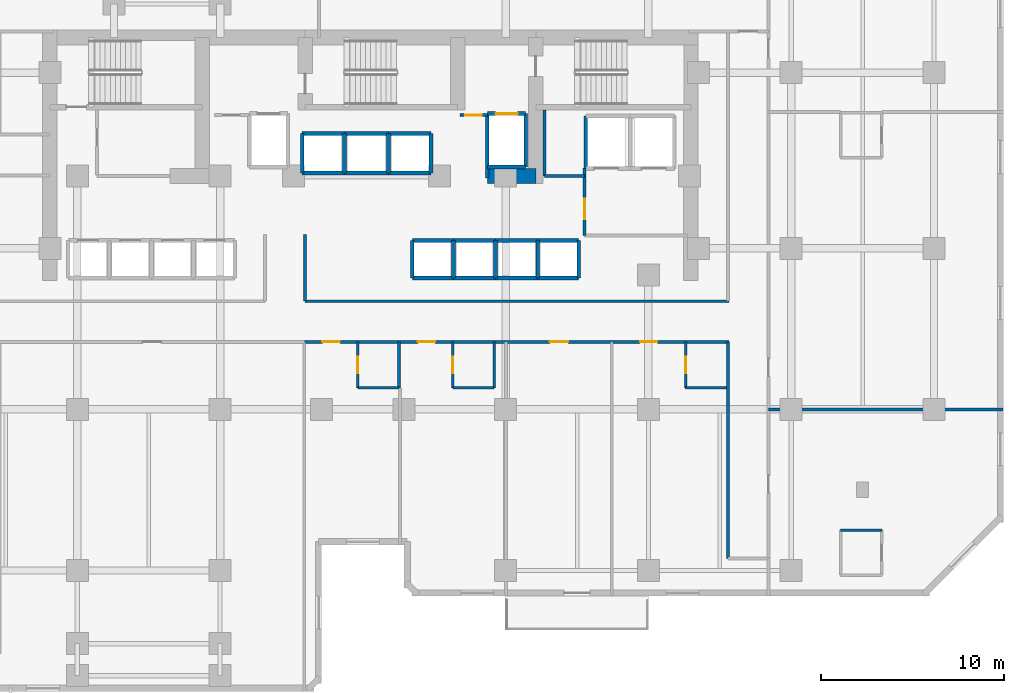
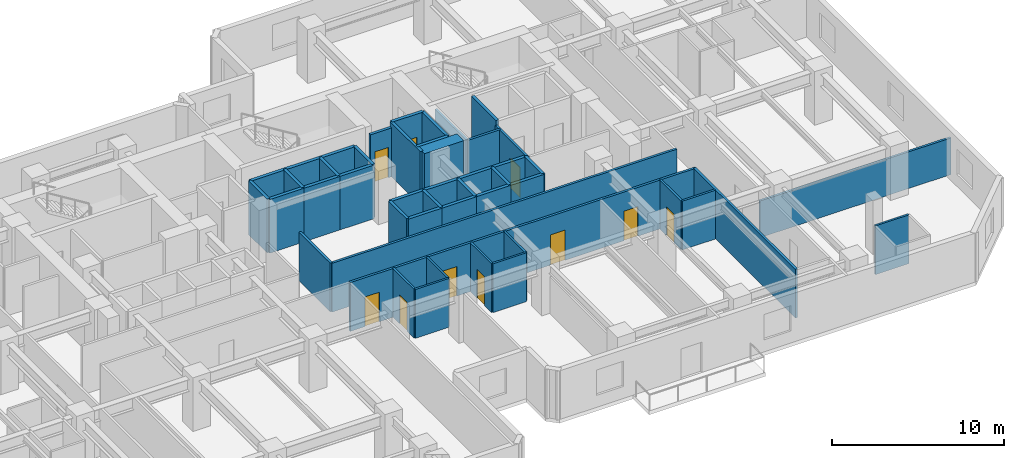
# One storey, part 7 of 11: 47 walls, 10 doors, 10 openings.
"""IFC4 building model written with IfcOpenShell, lengths in metres."""

from ifc_helpers import new_model, si_unit, direction, frame, frame_2d, origin, place, context, subcontext, project, spatial, rectangle, extrude, material, layer, layer_set, type_object, element, fill, save


model = new_model("IFC4")

# Units and contexts
model_context = context("Model", 3, precision=1e-05, world=origin(), true_north=direction((0.0, 1.0)))
body_context = subcontext(model_context, "Body", "Model", "MODEL_VIEW")
ifc_project = project(units=[si_unit("LENGTHUNIT", "METRE"), si_unit("AREAUNIT", "SQUARE_METRE"), si_unit("VOLUMEUNIT", "CUBIC_METRE"), si_unit("PLANEANGLEUNIT", "RADIAN"), si_unit("MASSUNIT", "GRAM", prefix="KILO")], contexts=[model_context])

# Site, building, storey
site_placement = place(None, origin())
site = spatial("IfcSite", under=ifc_project, at=site_placement, CompositionType="ELEMENT")
building_placement = place(site_placement, origin())
building = spatial("IfcBuilding", under=site, at=building_placement, Name="Kestravale Grand Hotel", CompositionType="ELEMENT")
storey_placement = place(building_placement, frame((0.0, 0.0, 126.0)))
storey = spatial("IfcBuildingStorey", under=building, at=storey_placement, Name="L31", CompositionType="ELEMENT", Elevation=126.0)

# Wall
ifc_material_1 = material(Name="Concrete f'c 60 MPa", Category="concrete")
ifc_layer_1 = layer(ifc_material_1, 0.800048828125)
ifc_layer_set_1 = layer_set([ifc_layer_1], Name="EW-CORE-800")
wall_type_1 = type_object("IfcWallType", Name="EW-CORE-800", PredefinedType="SHEAR", material=ifc_layer_set_1)
wall_1_placement = place(storey_placement, frame((45.81005859375, 32.75, 0.0), z_axis=(0.0, 0.0, 1.0), x_axis=(1.0, 0.0, 0.0)))
element("IfcWall", 1, at=wall_1_placement, inside=storey, type_object=wall_type_1, Name="L31 core shear wall S2", PredefinedType="SHEAR", context=body_context, shape_type="SweptSolid", body=[
    extrude(rectangle(XDim=2.639892578125, YDim=0.800048828125, at=frame_2d((1.31982421875, 0.0))), origin(), (0.0, 0.0, 1.0), 3.800048828125),
])

# Wall, opening, door
ifc_material_2 = material(Name="Acoustic fire-rated gypsum board partition", Category="other")
ifc_layer_2 = layer(ifc_material_2, 0.159912109375)
ifc_layer_set_2 = layer_set([ifc_layer_2], Name="IW-CORR-160")
wall_type_2 = type_object("IfcWallType", Name="IW-CORR-160", PredefinedType="PARTITIONING", material=ifc_layer_set_2)
wall_2_placement = place(storey_placement, frame((51.1201171875, 29.5, 0.0), z_axis=(0.0, 0.0, 1.0), x_axis=(0.0, 1.0, 0.0)))
wall_2 = element("IfcWall", 2, at=wall_2_placement, inside=storey, type_object=wall_type_2, Name="W-L31-SVCLOB-W", PredefinedType="PARTITIONING", context=body_context, shape_type="SweptSolid", body=[
    extrude(rectangle(XDim=3.699951171875, YDim=0.159912109375, at=frame_2d((1.85009765625, 0.0))), origin(), (0.0, 0.0, 1.0), 3.4599609375),
])
opening_1_placement = place(wall_2_placement, frame((0.89990234375, 0.0, 0.0)))
opening_1 = element("IfcOpeningElement", 3, at=opening_1_placement, cuts=wall_2, Name="Opening D-CORR-1100", PredefinedType="OPENING", context=body_context, shape_type="SweptSolid", body=[
    extrude(rectangle(XDim=1.10009765625, YDim=2.14990234375, at=frame_2d((0.550048828125, 1.074951171875))), frame((0.0, 0.08984375, 0.0), z_axis=(0.0, -1.0, 0.0), x_axis=(1.0, 0.0, 0.0)), (0.0, 0.0, 1.0), 0.179931640625),
])
ifc_material_3 = material(Name="Single-leaf service vestibule fire door", Category="steel")
door_type_1 = type_object("IfcDoorType", Name="D-CORR-1100", OperationType="NOTDEFINED", PredefinedType="DOOR", material=ifc_material_3)
door_1_placement = place(opening_1_placement, origin())
door_1 = element("IfcDoor", 4, at=door_1_placement, inside=storey, type_object=door_type_1, Name="L31 service lift lobby door", OperationType="SINGLE_SWING_LEFT", OverallHeight=2.14990234375, OverallWidth=1.10009765625, PredefinedType="DOOR", context=body_context, shape_type="SweptSolid", body=[
    extrude(rectangle(XDim=1.10009765625, YDim=2.14990234375, at=frame_2d((0.550048828125, 1.074951171875))), frame((0.0, 0.02490234375, 0.0), z_axis=(0.0, -1.0, 0.0), x_axis=(1.0, 0.0, 0.0)), (0.0, 0.0, 1.0), 0.050048828125),
])
fill(opening_1, door_1)

# Walls
wall_3_placement = place(storey_placement, frame((48.919921875, 32.75, 0.0), z_axis=(0.0, 0.0, 1.0), x_axis=(1.0, 0.0, 0.0)))
element("IfcWall", 5, at=wall_3_placement, inside=storey, type_object=wall_type_2, Name="W-L31-CES", PredefinedType="PARTITIONING", context=body_context, shape_type="SweptSolid", body=[
    extrude(rectangle(XDim=2.2001953125, YDim=0.159912109375, at=frame_2d((1.10009765625, 0.0))), origin(), (0.0, 0.0, 1.0), 3.4599609375),
])
wall_4_placement = place(storey_placement, frame((35.85009765625, 25.909912109375, 0.0), z_axis=(0.0, 0.0, 1.0), x_axis=(1.0, 0.0, 0.0)))
element("IfcWall", 6, at=wall_4_placement, inside=storey, type_object=wall_type_2, Name="W-L31-CE-N", PredefinedType="PARTITIONING", context=body_context, shape_type="SweptSolid", body=[
    extrude(rectangle(XDim=23.14990234375, YDim=0.159912109375, at=frame_2d((11.574951171875, 0.0))), origin(), (0.0, 0.0, 1.0), 3.4599609375),
])
wall_5_placement = place(storey_placement, frame((35.85009765625, 25.909912109375, 0.0), z_axis=(0.0, 0.0, 1.0), x_axis=(0.0, 1.0, 0.0)))
element("IfcWall", 7, at=wall_5_placement, inside=storey, type_object=wall_type_2, Name="W-L31-TRUNK-E", PredefinedType="PARTITIONING", context=body_context, shape_type="SweptSolid", body=[
    extrude(rectangle(XDim=3.64013671875, YDim=0.159912109375, at=frame_2d((1.820068359375, 0.0))), origin(), (0.0, 0.0, 1.0), 3.4599609375),
])

# Wall, openings, doors
wall_6_placement = place(storey_placement, frame((35.800048828125, 23.68994140625, 0.0), z_axis=(0.0, 0.0, 1.0), x_axis=(1.0, 0.0, 0.0)))
wall_6 = element("IfcWall", 8, at=wall_6_placement, inside=storey, type_object=wall_type_2, Name="W-L31-CE-S", PredefinedType="PARTITIONING", context=body_context, shape_type="SweptSolid", body=[
    extrude(rectangle(XDim=23.199951171875, YDim=0.159912109375, at=frame_2d((11.60009765625, 0.0))), origin(), (0.0, 0.0, 1.0), 3.4599609375),
])
opening_2_placement = place(wall_6_placement, frame((0.987548828125, 0.0, 0.0)))
opening_2 = element("IfcOpeningElement", 9, at=opening_2_placement, cuts=wall_6, Name="Opening D-GUEST-950", PredefinedType="OPENING", context=body_context, shape_type="SweptSolid", body=[
    extrude(rectangle(XDim=0.949951171875, YDim=2.10009765625, at=frame_2d((0.47509765625, 1.050048828125))), frame((0.0, 0.08984375, 0.0), z_axis=(0.0, -1.0, 0.0), x_axis=(1.0, 0.0, 0.0)), (0.0, 0.0, 1.0), 0.179931640625),
])
opening_3_placement = place(wall_6_placement, frame((6.202392578125, 0.0, 0.0)))
opening_3 = element("IfcOpeningElement", 10, at=opening_3_placement, cuts=wall_6, Name="Opening D-GUEST-950", PredefinedType="OPENING", context=body_context, shape_type="SweptSolid", body=[
    extrude(rectangle(XDim=0.949951171875, YDim=2.10009765625, at=frame_2d((0.47509765625, 1.050048828125))), frame((0.0, 0.08984375, 0.0), z_axis=(0.0, -1.0, 0.0), x_axis=(1.0, 0.0, 0.0)), (0.0, 0.0, 1.0), 0.179931640625),
])
opening_4_placement = place(wall_6_placement, frame((13.41259765625, 0.0, 0.0)))
opening_4 = element("IfcOpeningElement", 11, at=opening_4_placement, cuts=wall_6, Name="Opening D-GUEST-1000", PredefinedType="OPENING", context=body_context, shape_type="SweptSolid", body=[
    extrude(rectangle(XDim=1.0, YDim=2.14990234375, at=frame_2d((0.5, 1.074951171875))), frame((0.0, 0.08984375, 0.0), z_axis=(0.0, -1.0, 0.0), x_axis=(1.0, 0.0, 0.0)), (0.0, 0.0, 1.0), 0.179931640625),
])
opening_5_placement = place(wall_6_placement, frame((18.342529296875, 0.0, 0.0)))
opening_5 = element("IfcOpeningElement", 12, at=opening_5_placement, cuts=wall_6, Name="Opening D-GUEST-950", PredefinedType="OPENING", context=body_context, shape_type="SweptSolid", body=[
    extrude(rectangle(XDim=0.949951171875, YDim=2.10009765625, at=frame_2d((0.47509765625, 1.050048828125))), frame((0.0, 0.08984375, 0.0), z_axis=(0.0, -1.0, 0.0), x_axis=(1.0, 0.0, 0.0)), (0.0, 0.0, 1.0), 0.179931640625),
])
ifc_material_4 = material(Name="Accessible walnut veneer hotel entrance fire door", Category="wood")
door_type_2 = type_object("IfcDoorType", Name="D-GUEST-1000", OperationType="NOTDEFINED", PredefinedType="DOOR", material=ifc_material_4)
door_2_placement = place(opening_4_placement, origin())
door_2 = element("IfcDoor", 13, at=door_2_placement, inside=storey, type_object=door_type_2, Name="D-L31-AME", OperationType="SINGLE_SWING_LEFT", OverallHeight=2.14990234375, OverallWidth=1.0, PredefinedType="DOOR", context=body_context, shape_type="SweptSolid", body=[
    extrude(rectangle(XDim=1.0, YDim=2.14990234375, at=frame_2d((0.5, 1.074951171875))), frame((0.0, 0.02490234375, 0.0), z_axis=(0.0, -1.0, 0.0), x_axis=(1.0, 0.0, 0.0)), (0.0, 0.0, 1.0), 0.050048828125),
])
fill(opening_4, door_2)
ifc_material_5 = material(Name="Walnut veneer hotel guestroom entrance fire door", Category="wood")
door_type_3 = type_object("IfcDoorType", Name="D-GUEST-950", OperationType="NOTDEFINED", PredefinedType="DOOR", material=ifc_material_5)
door_3_placement = place(opening_2_placement, origin())
door_3 = element("IfcDoor", 14, at=door_3_placement, inside=storey, type_object=door_type_3, Name="D-L31-U01-ENT", OperationType="SINGLE_SWING_RIGHT", OverallHeight=2.10009765625, OverallWidth=0.949951171875, PredefinedType="DOOR", context=body_context, shape_type="SweptSolid", body=[
    extrude(rectangle(XDim=0.949951171875, YDim=2.10009765625, at=frame_2d((0.47509765625, 1.050048828125))), frame((0.0, 0.02490234375, 0.0), z_axis=(0.0, -1.0, 0.0), x_axis=(1.0, 0.0, 0.0)), (0.0, 0.0, 1.0), 0.050048828125),
])
fill(opening_2, door_3)
door_4_placement = place(opening_3_placement, origin())
door_4 = element("IfcDoor", 15, at=door_4_placement, inside=storey, type_object=door_type_3, Name="D-L31-U02-ENT", OperationType="SINGLE_SWING_RIGHT", OverallHeight=2.10009765625, OverallWidth=0.949951171875, PredefinedType="DOOR", context=body_context, shape_type="SweptSolid", body=[
    extrude(rectangle(XDim=0.949951171875, YDim=2.10009765625, at=frame_2d((0.47509765625, 1.050048828125))), frame((0.0, 0.02490234375, 0.0), z_axis=(0.0, -1.0, 0.0), x_axis=(1.0, 0.0, 0.0)), (0.0, 0.0, 1.0), 0.050048828125),
])
fill(opening_3, door_4)
door_5_placement = place(opening_5_placement, origin())
door_5 = element("IfcDoor", 16, at=door_5_placement, inside=storey, type_object=door_type_3, Name="D-L31-U03-ENT", OperationType="SINGLE_SWING_LEFT", OverallHeight=2.10009765625, OverallWidth=0.949951171875, PredefinedType="DOOR", context=body_context, shape_type="SweptSolid", body=[
    extrude(rectangle(XDim=0.949951171875, YDim=2.10009765625, at=frame_2d((0.47509765625, 1.050048828125))), frame((0.0, 0.02490234375, 0.0), z_axis=(0.0, -1.0, 0.0), x_axis=(1.0, 0.0, 0.0)), (0.0, 0.0, 1.0), 0.050048828125),
])
fill(opening_5, door_5)

# Wall
wall_7_placement = place(storey_placement, frame((58.93994140625, 11.85009765625, 0.0), z_axis=(0.0, 0.0, 1.0), x_axis=(0.0, 1.0, 0.0)))
element("IfcWall", 17, at=wall_7_placement, inside=storey, type_object=wall_type_2, Name="W-L31-SE-W", PredefinedType="PARTITIONING", context=body_context, shape_type="SweptSolid", body=[
    extrude(rectangle(XDim=11.83984375, YDim=0.159912109375, at=frame_2d((5.919921875, 0.0))), origin(), (0.0, 0.0, 1.0), 3.4599609375),
])

# Wall, opening, door
ifc_material_6 = material(Name="Fire-rated gypsum board on steel studs with mineral wool", Category="steel")
ifc_layer_3 = layer(ifc_material_6, 0.179931640625)
ifc_layer_set_3 = layer_set([ifc_layer_3], Name="IW-FSAE-180")
wall_type_3 = type_object("IfcWallType", Name="IW-FSAE-180", PredefinedType="PARTITIONING", material=ifc_layer_set_3)
wall_8_placement = place(storey_placement, frame((44.300048828125, 36.080078125, 0.0), z_axis=(0.0, 0.0, 1.0), x_axis=(1.0, 0.0, 0.0)))
wall_8 = element("IfcWall", 18, at=wall_8_placement, inside=storey, type_object=wall_type_3, Name="L31 FSAE Lobby 2 smoke barrier", PredefinedType="PARTITIONING", context=body_context, shape_type="SweptSolid", body=[
    extrude(rectangle(XDim=1.5, YDim=0.179931640625, at=frame_2d((0.75, 0.0))), origin(), (0.0, 0.0, 1.0), 3.4599609375),
])
opening_6_placement = place(wall_8_placement, frame((0.300048828125, 0.0, 0.0)))
opening_6 = element("IfcOpeningElement", 19, at=opening_6_placement, cuts=wall_8, Name="Opening D-FSAE-1000", PredefinedType="OPENING", context=body_context, shape_type="SweptSolid", body=[
    extrude(rectangle(XDim=0.89990234375, YDim=2.14990234375, at=frame_2d((0.449951171875, 1.074951171875))), frame((0.0, 0.099853515625, 0.0), z_axis=(0.0, -1.0, 0.0), x_axis=(1.0, 0.0, 0.0)), (0.0, 0.0, 1.0), 0.199951171875),
])
ifc_material_7 = material(Name="Smoke-gasketed FSAE lobby fire door", Category="steel")
door_type_4 = type_object("IfcDoorType", Name="D-FSAE-1000", OperationType="NOTDEFINED", PredefinedType="DOOR", material=ifc_material_7)
door_6_placement = place(opening_6_placement, origin())
door_6 = element("IfcDoor", 20, at=door_6_placement, inside=storey, type_object=door_type_4, Name="L31 FSAE Lobby 2 fire door", OperationType="SINGLE_SWING_LEFT", OverallHeight=2.14990234375, OverallWidth=0.89990234375, PredefinedType="DOOR", context=body_context, shape_type="SweptSolid", body=[
    extrude(rectangle(XDim=0.89990234375, YDim=2.14990234375, at=frame_2d((0.449951171875, 1.074951171875))), frame((0.0, 0.02490234375, 0.0), z_axis=(0.0, -1.0, 0.0), x_axis=(1.0, 0.0, 0.0)), (0.0, 0.0, 1.0), 0.050048828125),
])
fill(opening_6, door_6)

ifc_material_8 = material(Name="Moisture-resistant tile-backer plumbing chase wall", Category="other")
ifc_layer_4 = layer(ifc_material_8, 0.139892578125)
ifc_layer_set_4 = layer_set([ifc_layer_4], Name="IW-PLB-140")
wall_type_4 = type_object("IfcWallType", Name="IW-PLB-140", PredefinedType="PLUMBINGWALL", material=ifc_layer_set_4)
wall_9_placement = place(storey_placement, frame((38.72509765625, 21.179931640625, 0.0), z_axis=(0.0, 0.0, 1.0), x_axis=(0.0, 1.0, 0.0)))
wall_9 = element("IfcWall", 21, at=wall_9_placement, inside=storey, type_object=wall_type_4, Name="W-L31-U01-BW", PredefinedType="PLUMBINGWALL", context=body_context, shape_type="SweptSolid", body=[
    extrude(rectangle(XDim=2.489990234375, YDim=0.139892578125, at=frame_2d((1.2451171875, 0.0))), origin(), (0.0, 0.0, 1.0), 3.4599609375),
])
opening_7_placement = place(wall_9_placement, frame((0.804931640625, 0.0, 0.0)))
opening_7 = element("IfcOpeningElement", 22, at=opening_7_placement, cuts=wall_9, Name="Opening D-BATH-880", PredefinedType="OPENING", context=body_context, shape_type="SweptSolid", body=[
    extrude(rectangle(XDim=0.8798828125, YDim=2.050048828125, at=frame_2d((0.43994140625, 1.02490234375))), frame((0.0, 0.079833984375, 0.0), z_axis=(0.0, -1.0, 0.0), x_axis=(1.0, 0.0, 0.0)), (0.0, 0.0, 1.0), 0.159912109375),
])
ifc_material_9 = material(Name="Moisture-sealed walnut en-suite bathroom door", Category="wood")
door_type_5 = type_object("IfcDoorType", Name="D-BATH-880", OperationType="NOTDEFINED", PredefinedType="DOOR", material=ifc_material_9)
door_7_placement = place(opening_7_placement, origin())
door_7 = element("IfcDoor", 23, at=door_7_placement, inside=storey, type_object=door_type_5, Name="D-L31-U01-BATH", OperationType="SINGLE_SWING_LEFT", OverallHeight=2.050048828125, OverallWidth=0.8798828125, PredefinedType="DOOR", context=body_context, shape_type="SweptSolid", body=[
    extrude(rectangle(XDim=0.8798828125, YDim=2.050048828125, at=frame_2d((0.43994140625, 1.02490234375))), frame((0.0, 0.02490234375, 0.0), z_axis=(0.0, -1.0, 0.0), x_axis=(1.0, 0.0, 0.0)), (0.0, 0.0, 1.0), 0.050048828125),
])
fill(opening_7, door_7)

# Walls
wall_10_placement = place(storey_placement, frame((40.97509765625, 21.179931640625, 0.0), z_axis=(0.0, 0.0, 1.0), x_axis=(0.0, 1.0, 0.0)))
element("IfcWall", 24, at=wall_10_placement, inside=storey, type_object=wall_type_4, Name="W-L31-U01-BE", PredefinedType="PLUMBINGWALL", context=body_context, shape_type="SweptSolid", body=[
    extrude(rectangle(XDim=2.489990234375, YDim=0.139892578125, at=frame_2d((1.2451171875, 0.0))), origin(), (0.0, 0.0, 1.0), 3.4599609375),
])
wall_11_placement = place(storey_placement, frame((38.72509765625, 21.179931640625, 0.0), z_axis=(0.0, 0.0, 1.0), x_axis=(1.0, 0.0, 0.0)))
element("IfcWall", 25, at=wall_11_placement, inside=storey, type_object=wall_type_4, Name="W-L31-U01-BS", PredefinedType="PLUMBINGWALL", context=body_context, shape_type="SweptSolid", body=[
    extrude(rectangle(XDim=2.25, YDim=0.139892578125, at=frame_2d((1.125, 0.0))), origin(), (0.0, 0.0, 1.0), 3.4599609375),
])

# Wall, opening, door
wall_12_placement = place(storey_placement, frame((43.919921875, 21.179931640625, 0.0), z_axis=(0.0, 0.0, 1.0), x_axis=(0.0, 1.0, 0.0)))
wall_12 = element("IfcWall", 26, at=wall_12_placement, inside=storey, type_object=wall_type_4, Name="W-L31-U02-BW", PredefinedType="PLUMBINGWALL", context=body_context, shape_type="SweptSolid", body=[
    extrude(rectangle(XDim=2.489990234375, YDim=0.139892578125, at=frame_2d((1.2451171875, 0.0))), origin(), (0.0, 0.0, 1.0), 3.4599609375),
])
opening_8_placement = place(wall_12_placement, frame((0.804931640625, 0.0, 0.0)))
opening_8 = element("IfcOpeningElement", 27, at=opening_8_placement, cuts=wall_12, Name="Opening D-BATH-880", PredefinedType="OPENING", context=body_context, shape_type="SweptSolid", body=[
    extrude(rectangle(XDim=0.8798828125, YDim=2.050048828125, at=frame_2d((0.43994140625, 1.02490234375))), frame((0.0, 0.079833984375, 0.0), z_axis=(0.0, -1.0, 0.0), x_axis=(1.0, 0.0, 0.0)), (0.0, 0.0, 1.0), 0.159912109375),
])
door_8_placement = place(opening_8_placement, origin())
door_8 = element("IfcDoor", 28, at=door_8_placement, inside=storey, type_object=door_type_5, Name="D-L31-U02-BATH", OperationType="SINGLE_SWING_LEFT", OverallHeight=2.050048828125, OverallWidth=0.8798828125, PredefinedType="DOOR", context=body_context, shape_type="SweptSolid", body=[
    extrude(rectangle(XDim=0.8798828125, YDim=2.050048828125, at=frame_2d((0.43994140625, 1.02490234375))), frame((0.0, 0.02490234375, 0.0), z_axis=(0.0, -1.0, 0.0), x_axis=(1.0, 0.0, 0.0)), (0.0, 0.0, 1.0), 0.050048828125),
])
fill(opening_8, door_8)

# Walls
wall_13_placement = place(storey_placement, frame((46.169921875, 21.179931640625, 0.0), z_axis=(0.0, 0.0, 1.0), x_axis=(0.0, 1.0, 0.0)))
element("IfcWall", 29, at=wall_13_placement, inside=storey, type_object=wall_type_4, Name="W-L31-U02-BE", PredefinedType="PLUMBINGWALL", context=body_context, shape_type="SweptSolid", body=[
    extrude(rectangle(XDim=2.489990234375, YDim=0.139892578125, at=frame_2d((1.2451171875, 0.0))), origin(), (0.0, 0.0, 1.0), 3.4599609375),
])
wall_14_placement = place(storey_placement, frame((43.919921875, 21.179931640625, 0.0), z_axis=(0.0, 0.0, 1.0), x_axis=(1.0, 0.0, 0.0)))
element("IfcWall", 30, at=wall_14_placement, inside=storey, type_object=wall_type_4, Name="W-L31-U02-BS", PredefinedType="PLUMBINGWALL", context=body_context, shape_type="SweptSolid", body=[
    extrude(rectangle(XDim=2.25, YDim=0.139892578125, at=frame_2d((1.125, 0.0))), origin(), (0.0, 0.0, 1.0), 3.4599609375),
])

# Wall, opening, door
wall_15_placement = place(storey_placement, frame((56.6298828125, 21.179931640625, 0.0), z_axis=(0.0, 0.0, 1.0), x_axis=(0.0, 1.0, 0.0)))
wall_15 = element("IfcWall", 31, at=wall_15_placement, inside=storey, type_object=wall_type_4, Name="W-L31-U03-BW", PredefinedType="PLUMBINGWALL", context=body_context, shape_type="SweptSolid", body=[
    extrude(rectangle(XDim=2.489990234375, YDim=0.139892578125, at=frame_2d((1.2451171875, 0.0))), origin(), (0.0, 0.0, 1.0), 3.4599609375),
])
opening_9_placement = place(wall_15_placement, frame((0.804931640625, 0.0, 0.0)))
opening_9 = element("IfcOpeningElement", 32, at=opening_9_placement, cuts=wall_15, Name="Opening D-BATH-880", PredefinedType="OPENING", context=body_context, shape_type="SweptSolid", body=[
    extrude(rectangle(XDim=0.8798828125, YDim=2.050048828125, at=frame_2d((0.43994140625, 1.02490234375))), frame((0.0, 0.079833984375, 0.0), z_axis=(0.0, -1.0, 0.0), x_axis=(1.0, 0.0, 0.0)), (0.0, 0.0, 1.0), 0.159912109375),
])
door_9_placement = place(opening_9_placement, origin())
door_9 = element("IfcDoor", 33, at=door_9_placement, inside=storey, type_object=door_type_5, Name="D-L31-U03-BATH", OperationType="SINGLE_SWING_RIGHT", OverallHeight=2.050048828125, OverallWidth=0.8798828125, PredefinedType="DOOR", context=body_context, shape_type="SweptSolid", body=[
    extrude(rectangle(XDim=0.8798828125, YDim=2.050048828125, at=frame_2d((0.43994140625, 1.02490234375))), frame((0.0, 0.02490234375, 0.0), z_axis=(0.0, -1.0, 0.0), x_axis=(1.0, 0.0, 0.0)), (0.0, 0.0, 1.0), 0.050048828125),
])
fill(opening_9, door_9)

# Walls
for number, where, z_axis, x_axis, name in (
    (34, (56.6298828125, 21.179931640625, 0.0), (0.0, 0.0, 1.0), (1.0, 0.0, 0.0), "W-L31-U03-BS"),
    (35, (65.10009765625, 13.39990234375, 0.0), (0.0, 0.0, 1.0), (1.0, 0.0, 0.0), "W-L31-U08-BN"),
):
    element("IfcWall", number, at=place(storey_placement, frame(where, z_axis=z_axis, x_axis=x_axis)), inside=storey, type_object=wall_type_4, Name=name, PredefinedType="PLUMBINGWALL", context=body_context, shape_type="SweptSolid", body=[
        extrude(rectangle(XDim=2.25, YDim=0.139892578125, at=frame_2d((1.125, 0.0))), origin(), (0.0, 0.0, 1.0), 3.4599609375),
    ])
ifc_material_10 = material(Name="Concrete f'c 45 MPa", Category="concrete")
ifc_layer_5 = layer(ifc_material_10, 0.199951171875)
ifc_layer_set_5 = layer_set([ifc_layer_5], Name="IW-SHAFT-200")
wall_type_5 = type_object("IfcWallType", Name="IW-SHAFT-200", PredefinedType="SHEAR", material=ifc_layer_set_5)
for number, where, z_axis, x_axis, name in (
    (36, (41.705078125, 27.169921875, 0.0), (0.0, 0.0, 1.0), (0.0, 1.0, 0.0), "L31 PL-M1 west shaft wall"),
    (37, (43.949951171875, 27.169921875, 0.0), (0.0, 0.0, 1.0), (0.0, 1.0, 0.0), "L31 PL-M2 west shaft wall"),
    (38, (46.25, 27.169921875, 0.0), (0.0, 0.0, 1.0), (0.0, 1.0, 0.0), "L31 PL-M3 west shaft wall"),
    (39, (48.550048828125, 27.169921875, 0.0), (0.0, 0.0, 1.0), (0.0, 1.0, 0.0), "L31 PL-M4 west shaft wall"),
    (40, (50.794921875, 27.169921875, 0.0), (0.0, 0.0, 1.0), (0.0, 1.0, 0.0), "L31 PL-M4 east shaft wall"),
):
    element("IfcWall", number, at=place(storey_placement, frame(where, z_axis=z_axis, x_axis=x_axis)), inside=storey, type_object=wall_type_5, Name=name, PredefinedType="SHEAR", context=body_context, shape_type="SweptSolid", body=[
        extrude(rectangle(XDim=2.06005859375, YDim=0.199951171875, at=frame_2d((1.030029296875, 0.0))), origin(), (0.0, 0.0, 1.0), 3.800048828125),
    ])
for number, where, z_axis, x_axis, name in (
    (41, (35.679931640625, 32.919921875, 0.0), (0.0, 0.0, 1.0), (0.0, 1.0, 0.0), "L31 PL-X1 west shaft wall"),
    (42, (38.0, 32.919921875, 0.0), (0.0, 0.0, 1.0), (0.0, 1.0, 0.0), "L31 PL-X2 west shaft wall"),
    (43, (40.39990234375, 32.919921875, 0.0), (0.0, 0.0, 1.0), (0.0, 1.0, 0.0), "L31 PL-X3 west shaft wall"),
    (44, (42.719970703125, 32.919921875, 0.0), (0.0, 0.0, 1.0), (0.0, 1.0, 0.0), "L31 PL-X3 east shaft wall"),
):
    element("IfcWall", number, at=place(storey_placement, frame(where, z_axis=z_axis, x_axis=x_axis)), inside=storey, type_object=wall_type_5, Name=name, PredefinedType="SHEAR", context=body_context, shape_type="SweptSolid", body=[
        extrude(rectangle(XDim=2.16015625, YDim=0.199951171875, at=frame_2d((1.080078125, 0.0))), origin(), (0.0, 0.0, 1.0), 3.800048828125),
    ])
wall_16_placement = place(storey_placement, frame((51.179931640625, 33.169921875, 0.0), z_axis=(0.0, 0.0, 1.0), x_axis=(0.0, 1.0, 0.0)))
element("IfcWall", 45, at=wall_16_placement, inside=storey, type_object=wall_type_5, Name="L31 SL-1 west shaft wall", PredefinedType="SHEAR", context=body_context, shape_type="SweptSolid", body=[
    extrude(rectangle(XDim=2.860107421875, YDim=0.199951171875, at=frame_2d((1.43017578125, 0.0))), origin(), (0.0, 0.0, 1.0), 3.800048828125),
])
wall_17_placement = place(storey_placement, frame((45.804931640625, 32.64990234375, 0.0), z_axis=(0.0, 0.0, 1.0), x_axis=(0.0, 1.0, 0.0)))
element("IfcWall", 46, at=wall_17_placement, inside=storey, type_object=wall_type_5, Name="L31 FL-2 west shaft wall", PredefinedType="SHEAR", context=body_context, shape_type="SweptSolid", body=[
    extrude(rectangle(XDim=3.505126953125, YDim=0.199951171875, at=frame_2d((1.75244140625, 0.0))), origin(), (0.0, 0.0, 1.0), 3.800048828125),
])
wall_18_placement = place(storey_placement, frame((47.89501953125, 33.2451171875, 0.0), z_axis=(0.0, 0.0, 1.0), x_axis=(0.0, 1.0, 0.0)))
element("IfcWall", 47, at=wall_18_placement, inside=storey, type_object=wall_type_5, Name="L31 FL-2 east shaft wall", PredefinedType="SHEAR", context=body_context, shape_type="SweptSolid", body=[
    extrude(rectangle(XDim=2.909912109375, YDim=0.199951171875, at=frame_2d((1.455078125, 0.0))), origin(), (0.0, 0.0, 1.0), 3.800048828125),
])
ifc_material_11 = material(Name="Concrete f'c 45 MPa", Category="concrete")
ifc_layer_6 = layer(ifc_material_11, 0.219970703125)
ifc_layer_set_6 = layer_set([ifc_layer_6], Name="IW-SHAFT-220")
wall_type_6 = type_object("IfcWallType", Name="IW-SHAFT-220", PredefinedType="SHEAR", material=ifc_layer_set_6)
for number, where, z_axis, x_axis, name in (
    (48, (41.705078125, 29.22998046875, 0.0), (0.0, 0.0, 1.0), (1.0, 0.0, 0.0), "L31 PL-M1 north shaft wall"),
    (49, (41.705078125, 27.169921875, 0.0), (0.0, 0.0, 1.0), (1.0, 0.0, 0.0), "L31 PL-M1 south shaft wall"),
):
    element("IfcWall", number, at=place(storey_placement, frame(where, z_axis=z_axis, x_axis=x_axis)), inside=storey, type_object=wall_type_6, Name=name, PredefinedType="SHEAR", context=body_context, shape_type="SweptSolid", body=[
        extrude(rectangle(XDim=2.244873046875, YDim=0.219970703125, at=frame_2d((1.12255859375, 0.0))), origin(), (0.0, 0.0, 1.0), 3.800048828125),
    ])
for number, where, z_axis, x_axis, name in (
    (50, (43.949951171875, 29.22998046875, 0.0), (0.0, 0.0, 1.0), (1.0, 0.0, 0.0), "L31 PL-M2 north shaft wall"),
    (51, (43.949951171875, 27.169921875, 0.0), (0.0, 0.0, 1.0), (1.0, 0.0, 0.0), "L31 PL-M2 south shaft wall"),
    (52, (46.25, 29.22998046875, 0.0), (0.0, 0.0, 1.0), (1.0, 0.0, 0.0), "L31 PL-M3 north shaft wall"),
    (53, (46.25, 27.169921875, 0.0), (0.0, 0.0, 1.0), (1.0, 0.0, 0.0), "L31 PL-M3 south shaft wall"),
):
    element("IfcWall", number, at=place(storey_placement, frame(where, z_axis=z_axis, x_axis=x_axis)), inside=storey, type_object=wall_type_6, Name=name, PredefinedType="SHEAR", context=body_context, shape_type="SweptSolid", body=[
        extrude(rectangle(XDim=2.300048828125, YDim=0.219970703125, at=frame_2d((1.14990234375, 0.0))), origin(), (0.0, 0.0, 1.0), 3.800048828125),
    ])
for number, where, z_axis, x_axis, name in (
    (54, (48.550048828125, 29.22998046875, 0.0), (0.0, 0.0, 1.0), (1.0, 0.0, 0.0), "L31 PL-M4 north shaft wall"),
    (55, (48.550048828125, 27.169921875, 0.0), (0.0, 0.0, 1.0), (1.0, 0.0, 0.0), "L31 PL-M4 south shaft wall"),
):
    element("IfcWall", number, at=place(storey_placement, frame(where, z_axis=z_axis, x_axis=x_axis)), inside=storey, type_object=wall_type_6, Name=name, PredefinedType="SHEAR", context=body_context, shape_type="SweptSolid", body=[
        extrude(rectangle(XDim=2.244873046875, YDim=0.219970703125, at=frame_2d((1.12255859375, 0.0))), origin(), (0.0, 0.0, 1.0), 3.800048828125),
    ])
for number, where, z_axis, x_axis, name in (
    (56, (35.679931640625, 35.080078125, 0.0), (0.0, 0.0, 1.0), (1.0, 0.0, 0.0), "L31 PL-X1 north shaft wall"),
    (57, (35.679931640625, 32.919921875, 0.0), (0.0, 0.0, 1.0), (1.0, 0.0, 0.0), "L31 PL-X1 south shaft wall"),
):
    element("IfcWall", number, at=place(storey_placement, frame(where, z_axis=z_axis, x_axis=x_axis)), inside=storey, type_object=wall_type_6, Name=name, PredefinedType="SHEAR", context=body_context, shape_type="SweptSolid", body=[
        extrude(rectangle(XDim=2.320068359375, YDim=0.219970703125, at=frame_2d((1.16015625, 0.0))), origin(), (0.0, 0.0, 1.0), 3.800048828125),
    ])
for number, where, z_axis, x_axis, name in (
    (58, (38.0, 35.080078125, 0.0), (0.0, 0.0, 1.0), (1.0, 0.0, 0.0), "L31 PL-X2 north shaft wall"),
    (59, (38.0, 32.919921875, 0.0), (0.0, 0.0, 1.0), (1.0, 0.0, 0.0), "L31 PL-X2 south shaft wall"),
):
    element("IfcWall", number, at=place(storey_placement, frame(where, z_axis=z_axis, x_axis=x_axis)), inside=storey, type_object=wall_type_6, Name=name, PredefinedType="SHEAR", context=body_context, shape_type="SweptSolid", body=[
        extrude(rectangle(XDim=2.39990234375, YDim=0.219970703125, at=frame_2d((1.199951171875, 0.0))), origin(), (0.0, 0.0, 1.0), 3.800048828125),
    ])
for number, where, z_axis, x_axis, name in (
    (60, (40.39990234375, 35.080078125, 0.0), (0.0, 0.0, 1.0), (1.0, 0.0, 0.0), "L31 PL-X3 north shaft wall"),
    (61, (40.39990234375, 32.919921875, 0.0), (0.0, 0.0, 1.0), (1.0, 0.0, 0.0), "L31 PL-X3 south shaft wall"),
):
    element("IfcWall", number, at=place(storey_placement, frame(where, z_axis=z_axis, x_axis=x_axis)), inside=storey, type_object=wall_type_6, Name=name, PredefinedType="SHEAR", context=body_context, shape_type="SweptSolid", body=[
        extrude(rectangle(XDim=2.320068359375, YDim=0.219970703125, at=frame_2d((1.16015625, 0.0))), origin(), (0.0, 0.0, 1.0), 3.800048828125),
    ])

# Wall, opening, door
wall_19_placement = place(storey_placement, frame((45.804931640625, 36.155029296875, 0.0), z_axis=(0.0, 0.0, 1.0), x_axis=(1.0, 0.0, 0.0)))
wall_19 = element("IfcWall", 62, at=wall_19_placement, inside=storey, type_object=wall_type_6, Name="L31 FL-2 north shaft wall", PredefinedType="SHEAR", context=body_context, shape_type="SweptSolid", body=[
    extrude(rectangle(XDim=2.090087890625, YDim=0.219970703125, at=frame_2d((1.044921875, 0.0))), origin(), (0.0, 0.0, 1.0), 3.800048828125),
])
opening_10_placement = place(wall_19_placement, frame((0.445068359375, 0.0, 0.0)))
opening_10 = element("IfcOpeningElement", 63, at=opening_10_placement, cuts=wall_19, Name="Opening LD-FSAE-1200", PredefinedType="OPENING", context=body_context, shape_type="SweptSolid", body=[
    extrude(rectangle(XDim=1.199951171875, YDim=2.14990234375, at=frame_2d((0.60009765625, 1.074951171875))), frame((0.0, 0.119873046875, 0.0), z_axis=(0.0, -1.0, 0.0), x_axis=(1.0, 0.0, 0.0)), (0.0, 0.0, 1.0), 0.239990234375),
])
ifc_material_12 = material(Name="Stainless fire-service sliding elevator landing door", Category="steel")
door_type_6 = type_object("IfcDoorType", Name="LD-FSAE-1200", OperationType="NOTDEFINED", PredefinedType="DOOR", material=ifc_material_12)
door_10_placement = place(opening_10_placement, origin())
door_10 = element("IfcDoor", 64, at=door_10_placement, inside=storey, type_object=door_type_6, Name="L31 FL-2 elevator landing sliding door", OperationType="DOUBLE_DOOR_SLIDING", OverallHeight=2.14990234375, OverallWidth=1.199951171875, PredefinedType="DOOR", context=body_context, shape_type="SweptSolid", body=[
    extrude(rectangle(XDim=1.199951171875, YDim=2.14990234375, at=frame_2d((0.60009765625, 1.074951171875))), frame((0.0, 0.02490234375, 0.0), z_axis=(0.0, -1.0, 0.0), x_axis=(1.0, 0.0, 0.0)), (0.0, 0.0, 1.0), 0.050048828125),
])
fill(opening_10, door_10)

# Walls
wall_20_placement = place(storey_placement, frame((45.804931640625, 33.2451171875, 0.0), z_axis=(0.0, 0.0, 1.0), x_axis=(1.0, 0.0, 0.0)))
element("IfcWall", 65, at=wall_20_placement, inside=storey, type_object=wall_type_6, Name="L31 FL-2 south shaft wall", PredefinedType="SHEAR", context=body_context, shape_type="SweptSolid", body=[
    extrude(rectangle(XDim=2.090087890625, YDim=0.219970703125, at=frame_2d((1.044921875, 0.0))), origin(), (0.0, 0.0, 1.0), 3.800048828125),
])
ifc_material_13 = material(Name="Double-stud STC 52 acoustic demising partition", Category="other")
ifc_layer_7 = layer(ifc_material_13, 0.14990234375)
ifc_layer_set_7 = layer_set([ifc_layer_7], Name="IW-UNIT-150")
wall_type_7 = type_object("IfcWallType", Name="IW-UNIT-150", PredefinedType="PARTITIONING", material=ifc_layer_set_7)
wall_21_placement = place(storey_placement, frame((48.919921875, 32.75, 0.0), z_axis=(0.0, 0.0, 1.0), x_axis=(0.0, 1.0, 0.0)))
element("IfcWall", 66, at=wall_21_placement, inside=storey, type_object=wall_type_7, Name="W-L31-CEW", PredefinedType="PARTITIONING", context=body_context, shape_type="SweptSolid", body=[
    extrude(rectangle(XDim=3.6201171875, YDim=0.14990234375, at=frame_2d((1.81005859375, 0.0))), origin(), (0.0, 0.0, 1.0), 3.4599609375),
])
wall_22_placement = place(storey_placement, frame((61.159912109375, 20.0, 0.0), z_axis=(0.0, 0.0, 1.0), x_axis=(1.0, 0.0, 0.0)))
element("IfcWall", 67, at=wall_22_placement, inside=storey, type_object=wall_type_7, Name="W-L31-EW-1", PredefinedType="PARTITIONING", context=body_context, shape_type="SweptSolid", body=[
    extrude(rectangle(XDim=12.820068359375, YDim=0.14990234375, at=frame_2d((6.41015625, 0.0))), origin(), (0.0, 0.0, 1.0), 2.59912109375),
])

save(model, "model.ifc")
